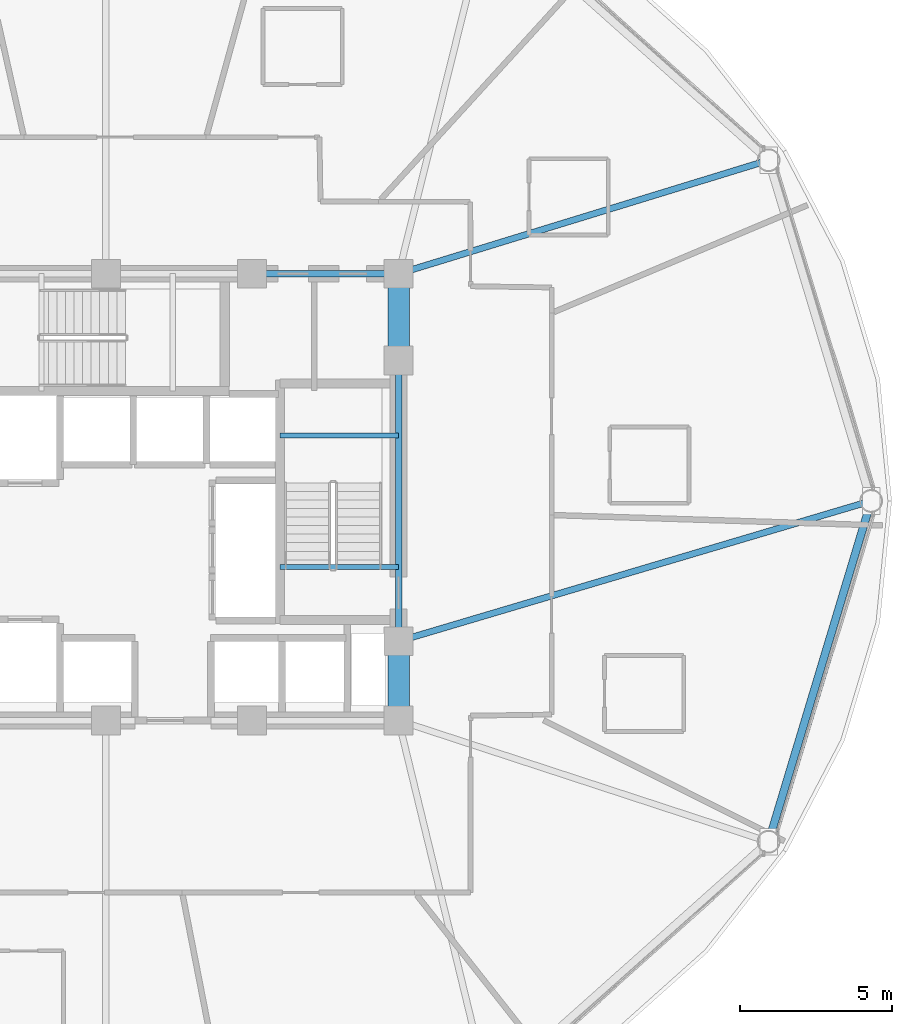
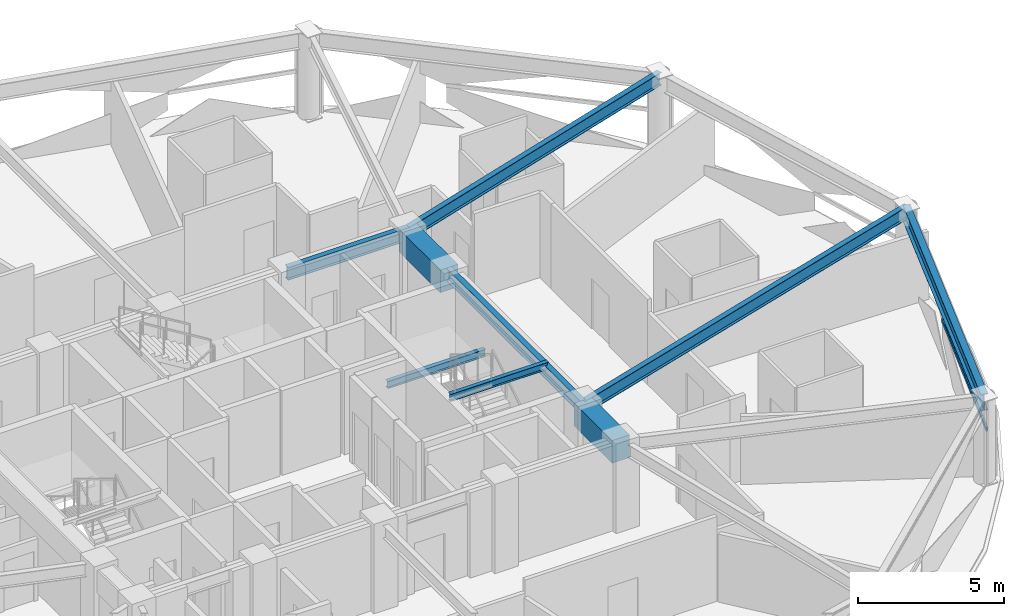
# One storey, part 12 of 30: 9 beams, 1 member, 1 element without a shape of its own.
"""IFC4 building model written with IfcOpenShell, lengths in metres."""

from ifc_helpers import new_model, si_unit, direction, frame, origin, origin_2d, place, context, subcontext, project, spatial, rectangle, hollow_rectangle, i_section, extrude, material, layer, layer_set, material_profile, profile_set, type_object, element, aggregate, save


model = new_model("IFC4")

# Units and contexts
model_context = context("Model", 3, precision=1e-05, world=origin(), true_north=direction((0.0, 1.0)))
body_context = subcontext(model_context, "Body", "Model", "MODEL_VIEW")
ifc_project = project(units=[si_unit("LENGTHUNIT", "METRE"), si_unit("AREAUNIT", "SQUARE_METRE"), si_unit("VOLUMEUNIT", "CUBIC_METRE"), si_unit("PLANEANGLEUNIT", "RADIAN"), si_unit("MASSUNIT", "GRAM", prefix="KILO")], contexts=[model_context])

# Site, building, storey
site_placement = place(None, origin())
site = spatial("IfcSite", under=ifc_project, at=site_placement, CompositionType="ELEMENT")
building_placement = place(site_placement, origin())
building = spatial("IfcBuilding", under=site, at=building_placement, Name="Vantalir Tower", CompositionType="ELEMENT")
storey_placement = place(building_placement, frame((0.0, 0.0, 130.949951171875)))
storey = spatial("IfcBuildingStorey", under=building, at=storey_placement, Name="L32", CompositionType="ELEMENT", Elevation=130.949951171875)

# Beams
ifc_material_1 = material(Name="Concrete C60/75", Category="concrete")
ifc_material_profile_1 = material_profile(ifc_material_1, rectangle(XDim=0.699951171875, YDim=0.949951171875, at=origin_2d()), Name="Concrete C60/75")
ifc_profile_set_1 = profile_set([ifc_material_profile_1], Name="Concrete C60/75")
beam_type_1 = type_object("IfcBeamType", Name="BM-CB-700x950", PredefinedType="USERDEFINED", material=ifc_profile_set_1)
beam_1_placement = place(storey_placement, frame((41.10009765625, 17.800048828125, 3.094970703125), z_axis=(0.0, 1.0, 0.0), x_axis=(-1.0, 0.0, 0.0)))
element("IfcBeam", 1, at=beam_1_placement, inside=storey, type_object=beam_type_1, Name="L32 Core Coupling Girder 05", ObjectType="GIRDER", PredefinedType="USERDEFINED", context=body_context, shape_type="SweptSolid", body=[
    extrude(rectangle(XDim=0.699951171875, YDim=0.949951171875, at=origin_2d()), origin(), (0.0, 0.0, 1.0), 2.599853515625),
])
beam_2_placement = place(storey_placement, frame((41.10009765625, 29.60009765625, 3.094970703125), z_axis=(0.0, 1.0, 0.0), x_axis=(-1.0, 0.0, 0.0)))
element("IfcBeam", 2, at=beam_2_placement, inside=storey, type_object=beam_type_1, Name="L32 Core Coupling Girder 07", ObjectType="GIRDER", PredefinedType="USERDEFINED", context=body_context, shape_type="SweptSolid", body=[
    extrude(rectangle(XDim=0.699951171875, YDim=0.949951171875, at=origin_2d()), origin(), (0.0, 0.0, 1.0), 2.849853515625),
])
ifc_material_2 = material(Name="Steel S355", Category="steel")
ifc_material_profile_2 = material_profile(ifc_material_2, i_section(OverallWidth=0.166015625, OverallDepth=0.306884765625, WebThickness=0.006591796875, FlangeThickness=0.01171875, at=origin_2d()), Name="Steel S355")
ifc_profile_set_2 = profile_set([ifc_material_profile_2], Name="Steel S355")
beam_type_2 = type_object("IfcBeamType", Name="BM-JS-305x165", PredefinedType="JOIST", material=ifc_profile_set_2)
for number, where, z_axis, x_axis, name in (
    (3, (37.2099609375, 22.8349609375, 3.595947265625), (1.0, 0.0, 0.0), (0.0, 1.0, 0.0), "L33 Stair ST2 Well Nosing Trimmer Beam"),
    (4, (37.2099609375, 27.14501953125, 1.52197265625), (1.0, 0.0, 0.0), (0.0, 1.0, 0.0), "L32 Stair ST2 Half-Landing Support Beam"),
):
    element("IfcBeam", number, at=place(storey_placement, frame(where, z_axis=z_axis, x_axis=x_axis)), inside=storey, type_object=beam_type_2, Name=name, PredefinedType="JOIST", context=body_context, shape_type="SweptSolid", body=[
        extrude(i_section(OverallWidth=0.166015625, OverallDepth=0.306884765625, WebThickness=0.006591796875, FlangeThickness=0.01171875, at=origin_2d()), origin(), (0.0, 0.0, 1.0), 3.89013671875),
    ])
ifc_material_profile_3 = material_profile(ifc_material_2, i_section(OverallWidth=0.2109375, OverallDepth=0.5390625, WebThickness=0.01171875, FlangeThickness=0.018798828125, at=origin_2d()), Name="Steel S355")
ifc_profile_set_3 = profile_set([ifc_material_profile_3], Name="Steel S355")
beam_type_3 = type_object("IfcBeamType", Name="BM-RB-533x210", PredefinedType="BEAM", material=ifc_profile_set_3)
beam_3_placement = place(storey_placement, frame((41.10009765625, 20.39990234375, 3.301025390625), z_axis=(0.0, 1.0, 0.0), x_axis=(-1.0, 0.0, 0.0)))
element("IfcBeam", 5, at=beam_3_placement, inside=storey, type_object=beam_type_3, Name="L32 Core Coupling Girder 06", PredefinedType="BEAM", context=body_context, shape_type="SweptSolid", body=[
    extrude(i_section(OverallWidth=0.2109375, OverallDepth=0.5390625, WebThickness=0.01171875, FlangeThickness=0.018798828125, at=origin_2d()), origin(), (0.0, 0.0, 1.0), 9.2001953125),
])
beam_4_placement = place(storey_placement, frame((41.10009765625, 32.449951171875, 3.301025390625), z_axis=(-1.0, 0.0, 0.0), x_axis=(0.0, -1.0, 0.0)))
element("IfcBeam", 6, at=beam_4_placement, inside=storey, type_object=beam_type_3, Name="L32 Core Coupling Girder 08", PredefinedType="BEAM", context=body_context, shape_type="SweptSolid", body=[
    extrude(i_section(OverallWidth=0.2109375, OverallDepth=0.5390625, WebThickness=0.01171875, FlangeThickness=0.018798828125, at=origin_2d()), origin(), (0.0, 0.0, 1.0), 4.800048828125),
])
beam_5_placement = place(storey_placement, frame((56.593017578125, 25.0, 3.301025390625), z_axis=(-0.958636111149, -0.284634513722, 0.0), x_axis=(0.284634513722, -0.958636111149, 0.0)))
element("IfcBeam", 7, at=beam_5_placement, inside=storey, type_object=beam_type_3, Name="L32 Radial Floor Beam 01", PredefinedType="BEAM", context=body_context, shape_type="SweptSolid", body=[
    extrude(i_section(OverallWidth=0.2109375, OverallDepth=0.5390625, WebThickness=0.01171875, FlangeThickness=0.018798828125, at=origin_2d()), origin(), (0.0, 0.0, 1.0), 16.161376953125),
])
beam_6_placement = place(storey_placement, frame((53.23095703125, 36.172119140625, 3.301025390625), z_axis=(-0.956009182138, -0.293336741082, 0.0), x_axis=(0.293336741082, -0.956009182138, 0.0)))
element("IfcBeam", 8, at=beam_6_placement, inside=storey, type_object=beam_type_3, Name="L32 Radial Floor Beam 02", PredefinedType="BEAM", context=body_context, shape_type="SweptSolid", body=[
    extrude(i_section(OverallWidth=0.2109375, OverallDepth=0.5390625, WebThickness=0.01171875, FlangeThickness=0.018798828125, at=origin_2d()), origin(), (0.0, 0.0, 1.0), 12.68896484375),
])
ifc_material_3 = material(Name="Steel S460", Category="steel")
ifc_material_profile_4 = material_profile(ifc_material_3, i_section(OverallWidth=0.256103515625, OverallDepth=0.693115234375, WebThickness=0.014404296875, FlangeThickness=0.023681640625, at=origin_2d()), Name="Steel S460")
ifc_profile_set_4 = profile_set([ifc_material_profile_4], Name="Steel S460")
beam_type_4 = type_object("IfcBeamType", Name="BM-RG-686x254", PredefinedType="USERDEFINED", material=ifc_profile_set_4)
beam_7_placement = place(storey_placement, frame((53.23095703125, 13.826904296875, 3.22412109375), z_axis=(0.288144433967, 0.957586959588, 0.0), x_axis=(-0.957586959588, 0.288144433967, 0.0)))
element("IfcBeam", 9, at=beam_7_placement, inside=storey, type_object=beam_type_4, Name="L32 Circumferential Ring Girder 12", ObjectType="GIRDER", PredefinedType="USERDEFINED", context=body_context, shape_type="SweptSolid", body=[
    extrude(i_section(OverallWidth=0.256103515625, OverallDepth=0.693115234375, WebThickness=0.014404296875, FlangeThickness=0.023681640625, at=origin_2d()), origin(), (0.0, 0.0, 1.0), 11.66796875),
])

# Curtain wall, member
ifc_material_4 = material(Name="Champagne-silver PVDF aluminium and double-silver Low-E glass", Category="aluminium")
ifc_layer = layer(ifc_material_4, 0.199951171875)
ifc_layer_set = layer_set([ifc_layer], Name="Champagne-silver PVDF aluminium and double-silver Low-E glass")
curtain_wall_type = type_object("IfcCurtainWallType", Name="CW-DIAMOND-Z2", PredefinedType="USERDEFINED", material=ifc_layer_set)
curtain_wall_placement = place(storey_placement, origin())
curtain_wall = element("IfcCurtainWall", 10, at=curtain_wall_placement, inside=storey, type_object=curtain_wall_type, Name="L32 Quilted Pyramid-Diamond Curtain Wall S12", ObjectType="UNITISED CURTAIN WALL", PredefinedType="USERDEFINED")
ifc_material_5 = material(Name="Champagne-silver PVDF aluminium 6063-T6", Category="aluminium")
ifc_material_profile_5 = material_profile(ifc_material_5, hollow_rectangle(XDim=0.074951171875, YDim=0.159912109375, WallThickness=0.00390625, at=origin_2d()), Name="Champagne-silver PVDF aluminium 6063-T6")
ifc_profile_set_5 = profile_set([ifc_material_profile_5], Name="Champagne-silver PVDF aluminium 6063-T6")
member_type = type_object("IfcMemberType", Name="CWT-160x75", PredefinedType="USERDEFINED", material=ifc_profile_set_5)
member_placement = place(storey_placement, frame((53.52294921875, 14.153076171875, 1.78515625), z_axis=(0.291160177069, 0.956674318297, 0.0), x_axis=(-0.956674318297, 0.291160177069, 0.0)))
member = element("IfcMember", 11, at=member_placement, type_object=member_type, Name="CW-L32-S12 Pyramid Fold Ridge Transom", ObjectType="TRANSOM", PredefinedType="USERDEFINED", context=body_context, shape_type="SweptSolid", body=[
    extrude(hollow_rectangle(XDim=0.074951171875, YDim=0.159912109375, WallThickness=0.00390625, at=origin_2d()), origin(), (0.0, 0.0, 1.0), 6.75244140625),
])
aggregate(curtain_wall, [member])

save(model, "model.ifc")
